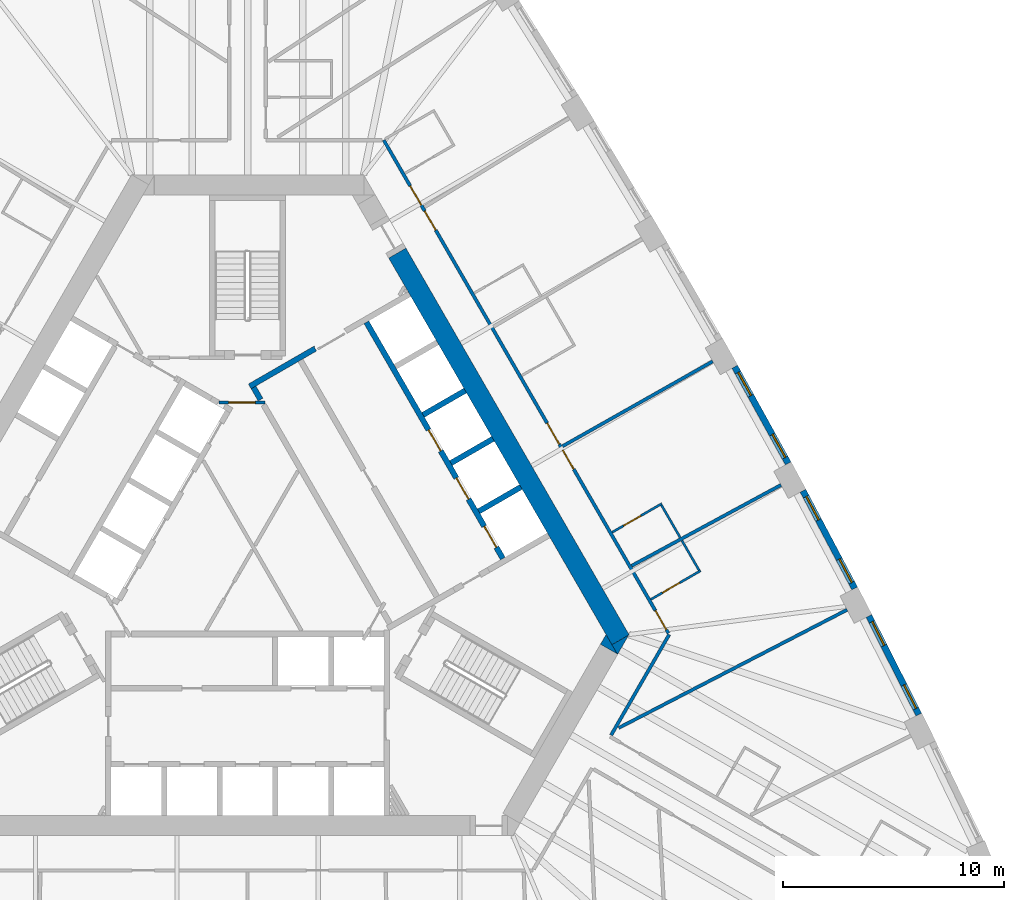
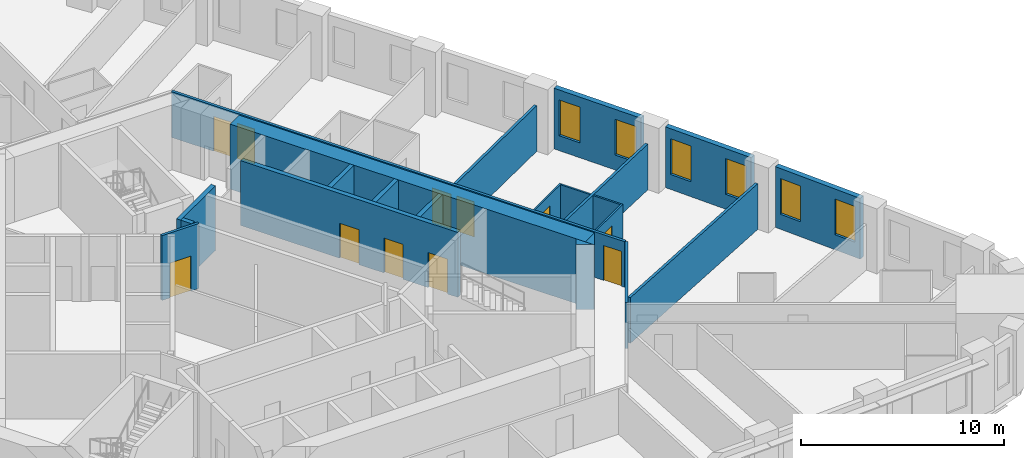
# One storey, part 8 of 12: 22 walls, 11 doors, 6 windows, 17 openings.
"""IFC4 building model written with IfcOpenShell, lengths in metres."""

from ifc_helpers import new_model, si_unit, direction, frame, frame_2d, origin, place, context, subcontext, project, spatial, polyline, rectangle, outline, extrude, material, layer, layer_set, type_object, element, fill, save


model = new_model("IFC4")

# Units and contexts
model_context = context("Model", 3, precision=1e-05, world=origin(), true_north=direction((0.0, 1.0)))
body_context = subcontext(model_context, "Body", "Model", "MODEL_VIEW")
ifc_project = project(units=[si_unit("LENGTHUNIT", "METRE"), si_unit("AREAUNIT", "SQUARE_METRE"), si_unit("VOLUMEUNIT", "CUBIC_METRE"), si_unit("PLANEANGLEUNIT", "RADIAN"), si_unit("MASSUNIT", "GRAM", prefix="KILO")], contexts=[model_context])

# Site, building, storey
site_placement = place(None, origin())
site = spatial("IfcSite", under=ifc_project, at=site_placement, CompositionType="ELEMENT")
building_placement = place(site_placement, origin())
building = spatial("IfcBuilding", under=site, at=building_placement, Name="Mestral Congress Tower", CompositionType="ELEMENT")
storey_placement = place(building_placement, frame((0.0, 0.0, 43.199951171875)))
storey = spatial("IfcBuildingStorey", under=building, at=storey_placement, Name="L09", CompositionType="ELEMENT", Elevation=43.199951171875)

# Walls
ifc_material_1 = material(Name="Concrete C60/75", Category="concrete")
ifc_layer_1 = layer(ifc_material_1, 0.89990234375)
ifc_layer_set_1 = layer_set([ifc_layer_1], Name="Concrete C60/75")
wall_type_1 = type_object("IfcWallType", Name="Core wall RC 900", PredefinedType="SOLIDWALL", material=ifc_layer_set_1)
wall_1_placement = place(storey_placement, frame((6.77587890625, 13.36376953125, 0.0), z_axis=(0.0, 0.0, 1.0), x_axis=(0.500004177138, -0.8660229921, 0.0)))
element("IfcWall", 1, at=wall_1_placement, inside=storey, type_object=wall_type_1, Name="L09 core wall", PredefinedType="SOLIDWALL", context=body_context, shape_type="SweptSolid", body=[
    extrude(rectangle(XDim=20.203857421875, YDim=0.89990234375, at=frame_2d((10.10205078125, 0.0))), origin(), (0.0, 0.0, 1.0), 3.900146484375),
])
placement = place(storey_placement, origin())
element("IfcWall", 2, at=placement, inside=storey, type_object=wall_type_1, Name="L09 core wall", PredefinedType="SOLIDWALL", context=body_context, shape_type="SweptSolid", body=[
    extrude(outline(polyline([(16.7431640625, -4.800048828125), (16.4892578125, -4.360107421875), (17.251220703125, -3.920166015625), (16.7431640625, -4.800048828125)])), origin(), (0.0, 0.0, 1.0), 3.900146484375),
])
element("IfcWall", 3, at=placement, inside=storey, type_object=wall_type_1, Name="L09 core wall", PredefinedType="SOLIDWALL", context=body_context, shape_type="SweptSolid", body=[
    extrude(outline(polyline([(16.223388671875, -3.89990234375), (16.731689453125, -4.780029296875), (15.969482421875, -4.33984375), (16.223388671875, -3.89990234375)])), origin(), (0.0, 0.0, 1.0), 3.900146484375),
])

# Wall, openings, windows
ifc_material_2 = material(Name="Precast concrete C40/50 with limestone facing", Category="masonry")
ifc_layer_2 = layer(ifc_material_2, 0.2900390625)
ifc_layer_set_2 = layer_set([ifc_layer_2], Name="Precast concrete C40/50 with limestone facing")
wall_type_2 = type_object("IfcWallType", Name="Facade stone wall 290", PredefinedType="SOLIDWALL", material=ifc_layer_set_2)
wall_4_placement = place(storey_placement, frame((30.376953125, -7.5205078125, 0.0), z_axis=(0.0, 0.0, 1.0), x_axis=(-0.451233929645, 0.892405704115, 0.0)))
wall_4 = element("IfcWall", 4, at=wall_4_placement, inside=storey, type_object=wall_type_2, Name="Facade wall F1-01", PredefinedType="SOLIDWALL", context=body_context, shape_type="SweptSolid", body=[
    extrude(rectangle(XDim=4.998291015625, YDim=0.2900390625, at=frame_2d((2.4990234375, 0.0))), origin(), (0.0, 0.0, 1.0), 3.650146484375),
])
opening_1_placement = place(wall_4_placement, frame((0.297119140625, 0.0, 0.89990234375)))
opening_1 = element("IfcOpeningElement", 5, at=opening_1_placement, cuts=wall_4, Name="Opening W1", PredefinedType="OPENING", context=body_context, shape_type="SweptSolid", body=[
    extrude(rectangle(XDim=1.199951171875, YDim=2.14990234375, at=frame_2d((0.60009765625, 1.074951171875))), frame((0.0, 0.155029296875, 0.0), z_axis=(0.0, -1.0, 0.0), x_axis=(1.0, 0.0, 0.0)), (0.0, 0.0, 1.0), 0.31005859375),
])
opening_2_placement = place(wall_4_placement, frame((3.501220703125, 0.0, 0.89990234375)))
opening_2 = element("IfcOpeningElement", 6, at=opening_2_placement, cuts=wall_4, Name="Opening W1", PredefinedType="OPENING", context=body_context, shape_type="SweptSolid", body=[
    extrude(rectangle(XDim=1.199951171875, YDim=2.14990234375, at=frame_2d((0.60009765625, 1.074951171875))), frame((0.0, 0.155029296875, 0.0), z_axis=(0.0, -1.0, 0.0), x_axis=(1.0, 0.0, 0.0)), (0.0, 0.0, 1.0), 0.31005859375),
])
ifc_material_3 = material(Name="Clear low-emissivity double glazing", Category="glass")
window_type = type_object("IfcWindowType", Name="Facade punched window 1200 x 2150 sill 900", PartitioningType="DOUBLE_PANEL_VERTICAL", PredefinedType="WINDOW", material=ifc_material_3)
window_1_placement = place(opening_1_placement, origin())
window_1 = element("IfcWindow", 7, at=window_1_placement, inside=storey, type_object=window_type, Name="Window F1-01a", OverallHeight=2.14990234375, OverallWidth=1.199951171875, PartitioningType="DOUBLE_PANEL_VERTICAL", PredefinedType="WINDOW", context=body_context, shape_type="SweptSolid", body=[
    extrude(rectangle(XDim=1.199951171875, YDim=2.14990234375, at=frame_2d((0.60009765625, 1.074951171875))), frame((0.0, 0.01513671875, 0.0), z_axis=(0.0, -1.0, 0.0), x_axis=(1.0, 0.0, 0.0)), (0.0, 0.0, 1.0), 0.06005859375),
])
fill(opening_1, window_1)
window_2_placement = place(opening_2_placement, origin())
window_2 = element("IfcWindow", 8, at=window_2_placement, inside=storey, type_object=window_type, Name="Window F1-01b", OverallHeight=2.14990234375, OverallWidth=1.199951171875, PartitioningType="DOUBLE_PANEL_VERTICAL", PredefinedType="WINDOW", context=body_context, shape_type="SweptSolid", body=[
    extrude(rectangle(XDim=1.199951171875, YDim=2.14990234375, at=frame_2d((0.60009765625, 1.074951171875))), frame((0.0, 0.01513671875, 0.0), z_axis=(0.0, -1.0, 0.0), x_axis=(1.0, 0.0, 0.0)), (0.0, 0.0, 1.0), 0.06005859375),
])
fill(opening_2, window_2)

wall_5_placement = place(storey_placement, frame((27.47509765625, -1.810302734375, 0.0), z_axis=(0.0, 0.0, 1.0), x_axis=(-0.467629620899, 0.883924509026, 0.0)))
wall_5 = element("IfcWall", 9, at=wall_5_placement, inside=storey, type_object=wall_type_2, Name="Facade wall F1-02", PredefinedType="SOLIDWALL", context=body_context, shape_type="SweptSolid", body=[
    extrude(rectangle(XDim=4.998291015625, YDim=0.2900390625, at=frame_2d((2.4990234375, 0.0))), origin(), (0.0, 0.0, 1.0), 3.650146484375),
])
opening_3_placement = place(wall_5_placement, frame((0.297119140625, 0.0, 0.89990234375)))
opening_3 = element("IfcOpeningElement", 10, at=opening_3_placement, cuts=wall_5, Name="Opening W1", PredefinedType="OPENING", context=body_context, shape_type="SweptSolid", body=[
    extrude(rectangle(XDim=1.199951171875, YDim=2.14990234375, at=frame_2d((0.60009765625, 1.074951171875))), frame((0.0, 0.155029296875, 0.0), z_axis=(0.0, -1.0, 0.0), x_axis=(1.0, 0.0, 0.0)), (0.0, 0.0, 1.0), 0.31005859375),
])
opening_4_placement = place(wall_5_placement, frame((3.501220703125, 0.0, 0.89990234375)))
opening_4 = element("IfcOpeningElement", 11, at=opening_4_placement, cuts=wall_5, Name="Opening W1", PredefinedType="OPENING", context=body_context, shape_type="SweptSolid", body=[
    extrude(rectangle(XDim=1.199951171875, YDim=2.14990234375, at=frame_2d((0.60009765625, 1.074951171875))), frame((0.0, 0.155029296875, 0.0), z_axis=(0.0, -1.0, 0.0), x_axis=(1.0, 0.0, 0.0)), (0.0, 0.0, 1.0), 0.31005859375),
])
window_3_placement = place(opening_3_placement, origin())
window_3 = element("IfcWindow", 12, at=window_3_placement, inside=storey, type_object=window_type, Name="Window F1-02a", OverallHeight=2.14990234375, OverallWidth=1.199951171875, PartitioningType="DOUBLE_PANEL_VERTICAL", PredefinedType="WINDOW", context=body_context, shape_type="SweptSolid", body=[
    extrude(rectangle(XDim=1.199951171875, YDim=2.14990234375, at=frame_2d((0.60009765625, 1.074951171875))), frame((0.0, 0.01513671875, 0.0), z_axis=(0.0, -1.0, 0.0), x_axis=(1.0, 0.0, 0.0)), (0.0, 0.0, 1.0), 0.06005859375),
])
fill(opening_3, window_3)
window_4_placement = place(opening_4_placement, origin())
window_4 = element("IfcWindow", 13, at=window_4_placement, inside=storey, type_object=window_type, Name="Window F1-02b", OverallHeight=2.14990234375, OverallWidth=1.199951171875, PartitioningType="DOUBLE_PANEL_VERTICAL", PredefinedType="WINDOW", context=body_context, shape_type="SweptSolid", body=[
    extrude(rectangle(XDim=1.199951171875, YDim=2.14990234375, at=frame_2d((0.60009765625, 1.074951171875))), frame((0.0, 0.01513671875, 0.0), z_axis=(0.0, -1.0, 0.0), x_axis=(1.0, 0.0, 0.0)), (0.0, 0.0, 1.0), 0.06005859375),
])
fill(opening_4, window_4)

wall_6_placement = place(storey_placement, frame((24.46826171875, 3.845703125, 0.0), z_axis=(0.0, 0.0, 1.0), x_axis=(-0.483912572871, 0.875116347589, 0.0)))
wall_6 = element("IfcWall", 14, at=wall_6_placement, inside=storey, type_object=wall_type_2, Name="Facade wall F1-03", PredefinedType="SOLIDWALL", context=body_context, shape_type="SweptSolid", body=[
    extrude(rectangle(XDim=4.998291015625, YDim=0.2900390625, at=frame_2d((2.4990234375, 0.0))), origin(), (0.0, 0.0, 1.0), 3.650146484375),
])
opening_5_placement = place(wall_6_placement, frame((0.297119140625, 0.0, 0.89990234375)))
opening_5 = element("IfcOpeningElement", 15, at=opening_5_placement, cuts=wall_6, Name="Opening W1", PredefinedType="OPENING", context=body_context, shape_type="SweptSolid", body=[
    extrude(rectangle(XDim=1.199951171875, YDim=2.14990234375, at=frame_2d((0.60009765625, 1.074951171875))), frame((0.0, 0.155029296875, 0.0), z_axis=(0.0, -1.0, 0.0), x_axis=(1.0, 0.0, 0.0)), (0.0, 0.0, 1.0), 0.31005859375),
])
opening_6_placement = place(wall_6_placement, frame((3.501220703125, 0.0, 0.89990234375)))
opening_6 = element("IfcOpeningElement", 16, at=opening_6_placement, cuts=wall_6, Name="Opening W1", PredefinedType="OPENING", context=body_context, shape_type="SweptSolid", body=[
    extrude(rectangle(XDim=1.199951171875, YDim=2.14990234375, at=frame_2d((0.60009765625, 1.074951171875))), frame((0.0, 0.155029296875, 0.0), z_axis=(0.0, -1.0, 0.0), x_axis=(1.0, 0.0, 0.0)), (0.0, 0.0, 1.0), 0.31005859375),
])
window_5_placement = place(opening_5_placement, origin())
window_5 = element("IfcWindow", 17, at=window_5_placement, inside=storey, type_object=window_type, Name="Window F1-03a", OverallHeight=2.14990234375, OverallWidth=1.199951171875, PartitioningType="DOUBLE_PANEL_VERTICAL", PredefinedType="WINDOW", context=body_context, shape_type="SweptSolid", body=[
    extrude(rectangle(XDim=1.199951171875, YDim=2.14990234375, at=frame_2d((0.60009765625, 1.074951171875))), frame((0.0, 0.01513671875, 0.0), z_axis=(0.0, -1.0, 0.0), x_axis=(1.0, 0.0, 0.0)), (0.0, 0.0, 1.0), 0.06005859375),
])
fill(opening_5, window_5)
window_6_placement = place(opening_6_placement, origin())
window_6 = element("IfcWindow", 18, at=window_6_placement, inside=storey, type_object=window_type, Name="Window F1-03b", OverallHeight=2.14990234375, OverallWidth=1.199951171875, PartitioningType="DOUBLE_PANEL_VERTICAL", PredefinedType="WINDOW", context=body_context, shape_type="SweptSolid", body=[
    extrude(rectangle(XDim=1.199951171875, YDim=2.14990234375, at=frame_2d((0.60009765625, 1.074951171875))), frame((0.0, 0.01513671875, 0.0), z_axis=(0.0, -1.0, 0.0), x_axis=(1.0, 0.0, 0.0)), (0.0, 0.0, 1.0), 0.06005859375),
])
fill(opening_6, window_6)

# Wall, opening, door
ifc_material_4 = material(Name="Gypsum board partition on metal studs with mineral wool", Category="composite")
ifc_layer_3 = layer(ifc_material_4, 0.10009765625)
ifc_layer_set_3 = layer_set([ifc_layer_3], Name="Gypsum board partition on metal studs with mineral wool")
wall_type_3 = type_object("IfcWallType", Name="Hotel partition wall 100", PredefinedType="PARTITIONING", material=ifc_layer_set_3)
wall_7_placement = place(storey_placement, frame((18.25048828125, -2.31103515625, 0.0), z_axis=(0.0, 0.0, 1.0), x_axis=(0.866021400173, 0.500006934395, 0.0)))
wall_7 = element("IfcWall", 19, at=wall_7_placement, inside=storey, type_object=wall_type_3, Name="L09-h-pod12a", PredefinedType="PARTITIONING", context=body_context, shape_type="SweptSolid", body=[
    extrude(rectangle(XDim=2.60009765625, YDim=0.10009765625, at=frame_2d((1.300048828125, 0.0))), origin(), (0.0, 0.0, 1.0), 2.75),
])
opening_7_placement = place(wall_7_placement, frame((0.60009765625, 0.0, 0.0)))
opening_7 = element("IfcOpeningElement", 20, at=opening_7_placement, cuts=wall_7, Name="Opening H02-017", PredefinedType="OPENING", context=body_context, shape_type="SweptSolid", body=[
    extrude(rectangle(XDim=0.89990234375, YDim=2.10009765625, at=frame_2d((0.449951171875, 1.050048828125))), frame((0.0, 0.06005859375, 0.0), z_axis=(0.0, -1.0, 0.0), x_axis=(1.0, 0.0, 0.0)), (0.0, 0.0, 1.0), 0.1201171875),
])
ifc_material_5 = material(Name="Timber veneer door leaf in timber frame", Category="wood")
door_type_1 = type_object("IfcDoorType", Name="Bathroom door 900", OperationType="SINGLE_SWING_LEFT", PredefinedType="DOOR", material=ifc_material_5)
door_1_placement = place(opening_7_placement, origin())
door_1 = element("IfcDoor", 21, at=door_1_placement, inside=storey, type_object=door_type_1, Name="L09-h-d017", OperationType="SINGLE_SWING_RIGHT", OverallHeight=2.10009765625, OverallWidth=0.89990234375, PredefinedType="DOOR", context=body_context, shape_type="SweptSolid", body=[
    extrude(rectangle(XDim=0.89990234375, YDim=2.10009765625, at=frame_2d((0.449951171875, 1.050048828125))), frame((0.0, 0.02490234375, 0.0), z_axis=(0.0, -1.0, 0.0), x_axis=(1.0, 0.0, 0.0)), (0.0, 0.0, 1.0), 0.050048828125),
])
fill(opening_7, door_1)

# Wall
wall_8_placement = place(storey_placement, frame((20.43408203125, -0.99267578125, 0.0), z_axis=(0.0, 0.0, 1.0), x_axis=(-0.500086022567, 0.865975732936, 0.0)))
element("IfcWall", 22, at=wall_8_placement, inside=storey, type_object=wall_type_3, Name="L09-h-pod12b", PredefinedType="PARTITIONING", context=body_context, shape_type="SweptSolid", body=[
    extrude(rectangle(XDim=1.550048828125, YDim=0.10009765625, at=frame_2d((0.77490234375, 0.0))), origin(), (0.0, 0.0, 1.0), 2.75),
])

# Wall, opening, door
wall_9_placement = place(storey_placement, frame((18.7490234375, 2.02587890625, 0.0), z_axis=(0.0, 0.0, 1.0), x_axis=(-0.866021400173, -0.500006934395, 0.0)))
wall_9 = element("IfcWall", 23, at=wall_9_placement, inside=storey, type_object=wall_type_3, Name="L09-h-pod13a", PredefinedType="PARTITIONING", context=body_context, shape_type="SweptSolid", body=[
    extrude(rectangle(XDim=2.60009765625, YDim=0.10009765625, at=frame_2d((1.300048828125, 0.0))), origin(), (0.0, 0.0, 1.0), 2.75),
])
opening_8_placement = place(wall_9_placement, frame((1.10009765625, 0.0, 0.0)))
opening_8 = element("IfcOpeningElement", 24, at=opening_8_placement, cuts=wall_9, Name="Opening H02-019", PredefinedType="OPENING", context=body_context, shape_type="SweptSolid", body=[
    extrude(rectangle(XDim=0.89990234375, YDim=2.10009765625, at=frame_2d((0.449951171875, 1.050048828125))), frame((0.0, 0.06005859375, 0.0), z_axis=(0.0, -1.0, 0.0), x_axis=(1.0, 0.0, 0.0)), (0.0, 0.0, 1.0), 0.1201171875),
])
door_2_placement = place(opening_8_placement, origin())
door_2 = element("IfcDoor", 25, at=door_2_placement, inside=storey, type_object=door_type_1, Name="L09-h-d019", OperationType="SINGLE_SWING_LEFT", OverallHeight=2.10009765625, OverallWidth=0.89990234375, PredefinedType="DOOR", context=body_context, shape_type="SweptSolid", body=[
    extrude(rectangle(XDim=0.89990234375, YDim=2.10009765625, at=frame_2d((0.449951171875, 1.050048828125))), frame((0.0, 0.02490234375, 0.0), z_axis=(0.0, -1.0, 0.0), x_axis=(1.0, 0.0, 0.0)), (0.0, 0.0, 1.0), 0.050048828125),
])
fill(opening_8, door_2)

# Walls
wall_10_placement = place(storey_placement, frame((18.730712890625, 1.95751953125, 0.0), z_axis=(0.0, 0.0, 1.0), x_axis=(0.499976720371, -0.866038843867, 0.0)))
element("IfcWall", 26, at=wall_10_placement, inside=storey, type_object=wall_type_3, Name="L09-h-pod13b", PredefinedType="PARTITIONING", context=body_context, shape_type="SweptSolid", body=[
    extrude(rectangle(XDim=1.68994140625, YDim=0.10009765625, at=frame_2d((0.844970703125, 0.0))), origin(), (0.0, 0.0, 1.0), 2.75),
])
ifc_layer_4 = layer(ifc_material_4, 0.14990234375)
ifc_layer_set_4 = layer_set([ifc_layer_4], Name="Gypsum board partition on metal studs with mineral wool")
wall_type_4 = type_object("IfcWallType", Name="Hotel partition wall 150", PredefinedType="PARTITIONING", material=ifc_layer_set_4)
wall_11_placement = place(storey_placement, frame((19.081298828125, -3.89990234375, 0.0), z_axis=(0.0, 0.0, 1.0), x_axis=(-0.499974327079, -0.866040225545, 0.0)))
element("IfcWall", 27, at=wall_11_placement, inside=storey, type_object=wall_type_4, Name="L09-h-cw02", PredefinedType="PARTITIONING", context=body_context, shape_type="SweptSolid", body=[
    extrude(rectangle(XDim=5.258056640625, YDim=0.14990234375, at=frame_2d((2.62890625, 0.0))), origin(), (0.0, 0.0, 1.0), 2.75),
])

# Wall, openings, doors
wall_12_placement = place(storey_placement, frame((6.1630859375, 18.47509765625, 0.0), z_axis=(0.0, 0.0, 1.0), x_axis=(0.500001317485, -0.866024643133, 0.0)))
wall_12 = element("IfcWall", 28, at=wall_12_placement, inside=storey, type_object=wall_type_4, Name="L09-h-cw03", PredefinedType="PARTITIONING", context=body_context, shape_type="SweptSolid", body=[
    extrude(rectangle(XDim=25.7666015625, YDim=0.14990234375, at=frame_2d((12.88330078125, 0.0))), origin(), (0.0, 0.0, 1.0), 2.75),
])
opening_9_placement = place(wall_12_placement, frame((24.58642578125, 0.0, 0.0)))
opening_9 = element("IfcOpeningElement", 29, at=opening_9_placement, cuts=wall_12, Name="Opening H02-016", PredefinedType="OPENING", context=body_context, shape_type="SweptSolid", body=[
    extrude(rectangle(XDim=1.0, YDim=2.10009765625, at=frame_2d((0.5, 1.050048828125))), frame((0.0, 0.0849609375, 0.0), z_axis=(0.0, -1.0, 0.0), x_axis=(1.0, 0.0, 0.0)), (0.0, 0.0, 1.0), 0.169921875),
])
opening_10_placement = place(wall_12_placement, frame((16.19580078125, 0.0, 0.0)))
opening_10 = element("IfcOpeningElement", 30, at=opening_10_placement, cuts=wall_12, Name="Opening H02-018", PredefinedType="OPENING", context=body_context, shape_type="SweptSolid", body=[
    extrude(rectangle(XDim=1.0, YDim=2.10009765625, at=frame_2d((0.5, 1.050048828125))), frame((0.0, 0.0849609375, 0.0), z_axis=(0.0, -1.0, 0.0), x_axis=(1.0, 0.0, 0.0)), (0.0, 0.0, 1.0), 0.169921875),
])
opening_11_placement = place(wall_12_placement, frame((14.788818359375, 0.0, 0.0)))
opening_11 = element("IfcOpeningElement", 31, at=opening_11_placement, cuts=wall_12, Name="Opening H02-020", PredefinedType="OPENING", context=body_context, shape_type="SweptSolid", body=[
    extrude(rectangle(XDim=1.10009765625, YDim=2.10009765625, at=frame_2d((0.550048828125, 1.050048828125))), frame((0.0, 0.0849609375, 0.0), z_axis=(0.0, -1.0, 0.0), x_axis=(1.0, 0.0, 0.0)), (0.0, 0.0, 1.0), 0.169921875),
])
opening_12_placement = place(wall_12_placement, frame((3.698486328125, 0.0, 0.0)))
opening_12 = element("IfcOpeningElement", 32, at=opening_12_placement, cuts=wall_12, Name="Opening H02-022", PredefinedType="OPENING", context=body_context, shape_type="SweptSolid", body=[
    extrude(rectangle(XDim=1.0, YDim=2.10009765625, at=frame_2d((0.5, 1.050048828125))), frame((0.0, 0.0849609375, 0.0), z_axis=(0.0, -1.0, 0.0), x_axis=(1.0, 0.0, 0.0)), (0.0, 0.0, 1.0), 0.169921875),
])
opening_13_placement = place(wall_12_placement, frame((2.39111328125, 0.0, 0.0)))
opening_13 = element("IfcOpeningElement", 33, at=opening_13_placement, cuts=wall_12, Name="Opening H02-024", PredefinedType="OPENING", context=body_context, shape_type="SweptSolid", body=[
    extrude(rectangle(XDim=1.0, YDim=2.10009765625, at=frame_2d((0.5, 1.050048828125))), frame((0.0, 0.0849609375, 0.0), z_axis=(0.0, -1.0, 0.0), x_axis=(1.0, 0.0, 0.0)), (0.0, 0.0, 1.0), 0.169921875),
])
ifc_material_6 = material(Name="Timber veneer door leaf in metal frame", Category="wood")
door_type_2 = type_object("IfcDoorType", Name="Accessible room entrance door 1100", OperationType="SINGLE_SWING_LEFT", PredefinedType="DOOR", material=ifc_material_6)
door_3_placement = place(opening_11_placement, origin())
door_3 = element("IfcDoor", 34, at=door_3_placement, inside=storey, type_object=door_type_2, Name="L09-h-d020", OperationType="SINGLE_SWING_RIGHT", OverallHeight=2.10009765625, OverallWidth=1.10009765625, PredefinedType="DOOR", context=body_context, shape_type="SweptSolid", body=[
    extrude(rectangle(XDim=1.10009765625, YDim=2.10009765625, at=frame_2d((0.550048828125, 1.050048828125))), frame((0.0, 0.02490234375, 0.0), z_axis=(0.0, -1.0, 0.0), x_axis=(1.0, 0.0, 0.0)), (0.0, 0.0, 1.0), 0.050048828125),
])
fill(opening_11, door_3)
door_type_3 = type_object("IfcDoorType", Name="Guest room entrance door 1000", OperationType="SINGLE_SWING_LEFT", PredefinedType="DOOR", material=ifc_material_6)
door_4_placement = place(opening_9_placement, origin())
door_4 = element("IfcDoor", 35, at=door_4_placement, inside=storey, type_object=door_type_3, Name="L09-h-d016", OperationType="SINGLE_SWING_RIGHT", OverallHeight=2.10009765625, OverallWidth=1.0, PredefinedType="DOOR", context=body_context, shape_type="SweptSolid", body=[
    extrude(rectangle(XDim=1.0, YDim=2.10009765625, at=frame_2d((0.5, 1.050048828125))), frame((0.0, 0.02490234375, 0.0), z_axis=(0.0, -1.0, 0.0), x_axis=(1.0, 0.0, 0.0)), (0.0, 0.0, 1.0), 0.050048828125),
])
fill(opening_9, door_4)
door_5_placement = place(opening_10_placement, origin())
door_5 = element("IfcDoor", 36, at=door_5_placement, inside=storey, type_object=door_type_3, Name="L09-h-d018", OperationType="SINGLE_SWING_LEFT", OverallHeight=2.10009765625, OverallWidth=1.0, PredefinedType="DOOR", context=body_context, shape_type="SweptSolid", body=[
    extrude(rectangle(XDim=1.0, YDim=2.10009765625, at=frame_2d((0.5, 1.050048828125))), frame((0.0, 0.02490234375, 0.0), z_axis=(0.0, -1.0, 0.0), x_axis=(1.0, 0.0, 0.0)), (0.0, 0.0, 1.0), 0.050048828125),
])
fill(opening_10, door_5)
door_6_placement = place(opening_12_placement, origin())
door_6 = element("IfcDoor", 37, at=door_6_placement, inside=storey, type_object=door_type_3, Name="L09-h-d022", OperationType="SINGLE_SWING_LEFT", OverallHeight=2.10009765625, OverallWidth=1.0, PredefinedType="DOOR", context=body_context, shape_type="SweptSolid", body=[
    extrude(rectangle(XDim=1.0, YDim=2.10009765625, at=frame_2d((0.5, 1.050048828125))), frame((0.0, 0.02490234375, 0.0), z_axis=(0.0, -1.0, 0.0), x_axis=(1.0, 0.0, 0.0)), (0.0, 0.0, 1.0), 0.050048828125),
])
fill(opening_12, door_6)
door_7_placement = place(opening_13_placement, origin())
door_7 = element("IfcDoor", 38, at=door_7_placement, inside=storey, type_object=door_type_3, Name="L09-h-d024", OperationType="SINGLE_SWING_RIGHT", OverallHeight=2.10009765625, OverallWidth=1.0, PredefinedType="DOOR", context=body_context, shape_type="SweptSolid", body=[
    extrude(rectangle(XDim=1.0, YDim=2.10009765625, at=frame_2d((0.5, 1.050048828125))), frame((0.0, 0.02490234375, 0.0), z_axis=(0.0, -1.0, 0.0), x_axis=(1.0, 0.0, 0.0)), (0.0, 0.0, 1.0), 0.050048828125),
])
fill(opening_13, door_7)

# Walls
wall_13_placement = place(storey_placement, frame((21.051513671875, 8.464111328125, 0.0), z_axis=(0.0, 0.0, 1.0), x_axis=(-0.87059371954, -0.492002617368, 0.0)))
element("IfcWall", 39, at=wall_13_placement, inside=storey, type_object=wall_type_4, Name="L09-h-pw21", PredefinedType="PARTITIONING", context=body_context, shape_type="SweptSolid", body=[
    extrude(rectangle(XDim=7.803466796875, YDim=0.14990234375, at=frame_2d((3.90185546875, 0.0))), origin(), (0.0, 0.0, 1.0), 2.75),
])
wall_14_placement = place(storey_placement, frame((27.133544921875, -2.779052734375, 0.0), z_axis=(0.0, 0.0, 1.0), x_axis=(-0.8882049501, -0.459447457951, 0.0)))
element("IfcWall", 40, at=wall_14_placement, inside=storey, type_object=wall_type_4, Name="L09-h-pw23", PredefinedType="PARTITIONING", context=body_context, shape_type="SweptSolid", body=[
    extrude(rectangle(XDim=11.63818359375, YDim=0.14990234375, at=frame_2d((5.819091796875, 0.0))), origin(), (0.0, 0.0, 1.0), 2.75),
])
wall_15_placement = place(storey_placement, frame((24.14453125, 2.87060546875, 0.0), z_axis=(0.0, 0.0, 1.0), x_axis=(-0.879551725039, -0.475803281809, 0.0)))
element("IfcWall", 41, at=wall_15_placement, inside=storey, type_object=wall_type_4, Name="L09-h-pw24", PredefinedType="PARTITIONING", context=body_context, shape_type="SweptSolid", body=[
    extrude(rectangle(XDim=7.68798828125, YDim=0.14990234375, at=frame_2d((3.843994140625, 0.0))), origin(), (0.0, 0.0, 1.0), 2.75),
])
ifc_layer_5 = layer(ifc_material_1, 0.25)
ifc_layer_set_5 = layer_set([ifc_layer_5], Name="Concrete C60/75")
wall_type_5 = type_object("IfcWallType", Name="Shaft wall RC 250", PredefinedType="SOLIDWALL", material=ifc_layer_set_5)
for number, where, z_axis, x_axis, name in (
    (42, (10.463623046875, 1.676513671875, 0.0), (0.0, 0.0, 1.0), (0.86605622881, 0.499946605688, 0.0), "L09 core wall"),
    (43, (9.20361328125, 3.85888671875, 0.0), (0.0, 0.0, 1.0), (0.86605622881, 0.499946605688, 0.0), "L09 core wall"),
    (44, (7.943603515625, 6.041259765625, 0.0), (0.0, 0.0, 1.0), (0.86605622881, 0.499946605688, 0.0), "L09 core wall"),
):
    element("IfcWall", number, at=place(storey_placement, frame(where, z_axis=z_axis, x_axis=x_axis)), inside=storey, type_object=wall_type_5, Name=name, PredefinedType="SOLIDWALL", context=body_context, shape_type="SweptSolid", body=[
        extrude(rectangle(XDim=2.199951171875, YDim=0.25, at=frame_2d((1.10009765625, 0.0))), origin(), (0.0, 0.0, 1.0), 3.900146484375),
    ])
element("IfcWall", 45, at=placement, inside=storey, type_object=wall_type_5, Name="L09 core wall", PredefinedType="SOLIDWALL", context=body_context, shape_type="SweptSolid", body=[
    extrude(outline(polyline([(2.776123046875, 8.73291015625), (2.49853515625, 8.57275390625), (2.498291015625, 8.57275390625), (2.498291015625, 8.57275390625), (2.28173828125, 8.44775390625), (2.28173828125, 8.44775390625), (0.376708984375, 7.34765625), (0.16015625, 7.22265625), (0.03515625, 7.439208984375), (3.031982421875, 9.16943359375), (3.02978515625, 9.152099609375), (3.029541015625, 9.132568359375), (3.03125, 9.113037109375), (3.03466796875, 9.09375), (3.0400390625, 9.074951171875), (3.04736328125, 9.056640625), (3.05615234375, 9.0390625), (3.118896484375, 8.930908203125), (2.776123046875, 8.73291015625)])), origin(), (0.0, 0.0, 1.0), 3.900146484375),
])
wall_17_placement = place(storey_placement, frame((0.268310546875, 7.28515625, 0.0), z_axis=(0.0, 0.0, 1.0), x_axis=(0.500098681536, -0.865968422476, 0.0)))
element("IfcWall", 46, at=wall_17_placement, inside=storey, type_object=wall_type_5, Name="L09 core wall", PredefinedType="SOLIDWALL", context=body_context, shape_type="SweptSolid", body=[
    extrude(rectangle(XDim=0.636474609375, YDim=0.25, at=frame_2d((0.318359375, 0.0))), origin(), (0.0, 0.0, 1.0), 3.900146484375),
])

# Wall, openings, doors
wall_18_placement = place(storey_placement, frame((11.552978515625, -0.460205078125, 0.0), z_axis=(0.0, 0.0, 1.0), x_axis=(-0.500006514828, 0.866021642414, 0.0)))
wall_18 = element("IfcWall", 47, at=wall_18_placement, inside=storey, type_object=wall_type_5, Name="L09 door wall", PredefinedType="SOLIDWALL", context=body_context, shape_type="SweptSolid", body=[
    extrude(rectangle(XDim=12.349853515625, YDim=0.25, at=frame_2d((6.1748046875, 0.0))), origin(), (0.0, 0.0, 1.0), 3.900146484375),
])
opening_14_placement = place(wall_18_placement, frame((0.5849609375, 0.0, 0.0)))
opening_14 = element("IfcOpeningElement", 48, at=opening_14_placement, cuts=wall_18, Name="Opening LD-NEA1", PredefinedType="OPENING", context=body_context, shape_type="SweptSolid", body=[
    extrude(rectangle(XDim=1.10009765625, YDim=2.10009765625, at=frame_2d((0.550048828125, 1.050048828125))), frame((0.0, 0.135009765625, 0.0), z_axis=(0.0, -1.0, 0.0), x_axis=(1.0, 0.0, 0.0)), (0.0, 0.0, 1.0), 0.27001953125),
])
opening_15_placement = place(wall_18_placement, frame((3.10498046875, 0.0, 0.0)))
opening_15 = element("IfcOpeningElement", 49, at=opening_15_placement, cuts=wall_18, Name="Opening LD-NEA2", PredefinedType="OPENING", context=body_context, shape_type="SweptSolid", body=[
    extrude(rectangle(XDim=1.10009765625, YDim=2.10009765625, at=frame_2d((0.550048828125, 1.050048828125))), frame((0.0, 0.135009765625, 0.0), z_axis=(0.0, -1.0, 0.0), x_axis=(1.0, 0.0, 0.0)), (0.0, 0.0, 1.0), 0.27001953125),
])
opening_16_placement = place(wall_18_placement, frame((5.625, 0.0, 0.0)))
opening_16 = element("IfcOpeningElement", 50, at=opening_16_placement, cuts=wall_18, Name="Opening LD-NEA3", PredefinedType="OPENING", context=body_context, shape_type="SweptSolid", body=[
    extrude(rectangle(XDim=1.10009765625, YDim=2.10009765625, at=frame_2d((0.550048828125, 1.050048828125))), frame((0.0, 0.135009765625, 0.0), z_axis=(0.0, -1.0, 0.0), x_axis=(1.0, 0.0, 0.0)), (0.0, 0.0, 1.0), 0.27001953125),
])
ifc_material_7 = material(Name="Fire-rated steel door set", Category="steel")
door_type_4 = type_object("IfcDoorType", Name="Core door LD 1100x2100", OperationType="DOUBLE_DOOR_SLIDING", PredefinedType="DOOR", material=ifc_material_7)
door_8_placement = place(opening_14_placement, origin())
door_8 = element("IfcDoor", 51, at=door_8_placement, inside=storey, type_object=door_type_4, Name="Door LD-NEA1", OperationType="DOUBLE_DOOR_SLIDING", OverallHeight=2.10009765625, OverallWidth=1.10009765625, PredefinedType="DOOR", context=body_context, shape_type="SweptSolid", body=[
    extrude(rectangle(XDim=1.10009765625, YDim=2.10009765625, at=frame_2d((0.550048828125, 1.050048828125))), frame((0.0, 0.02490234375, 0.0), z_axis=(0.0, -1.0, 0.0), x_axis=(1.0, 0.0, 0.0)), (0.0, 0.0, 1.0), 0.050048828125),
])
fill(opening_14, door_8)
door_9_placement = place(opening_15_placement, origin())
door_9 = element("IfcDoor", 52, at=door_9_placement, inside=storey, type_object=door_type_4, Name="Door LD-NEA2", OperationType="DOUBLE_DOOR_SLIDING", OverallHeight=2.10009765625, OverallWidth=1.10009765625, PredefinedType="DOOR", context=body_context, shape_type="SweptSolid", body=[
    extrude(rectangle(XDim=1.10009765625, YDim=2.10009765625, at=frame_2d((0.550048828125, 1.050048828125))), frame((0.0, 0.02490234375, 0.0), z_axis=(0.0, -1.0, 0.0), x_axis=(1.0, 0.0, 0.0)), (0.0, 0.0, 1.0), 0.050048828125),
])
fill(opening_15, door_9)
door_10_placement = place(opening_16_placement, origin())
door_10 = element("IfcDoor", 53, at=door_10_placement, inside=storey, type_object=door_type_4, Name="Door LD-NEA3", OperationType="DOUBLE_DOOR_SLIDING", OverallHeight=2.10009765625, OverallWidth=1.10009765625, PredefinedType="DOOR", context=body_context, shape_type="SweptSolid", body=[
    extrude(rectangle(XDim=1.10009765625, YDim=2.10009765625, at=frame_2d((0.550048828125, 1.050048828125))), frame((0.0, 0.02490234375, 0.0), z_axis=(0.0, -1.0, 0.0), x_axis=(1.0, 0.0, 0.0)), (0.0, 0.0, 1.0), 0.050048828125),
])
fill(opening_16, door_10)

# Wall, opening, door
ifc_layer_6 = layer(ifc_material_1, 0.14990234375)
ifc_layer_set_6 = layer_set([ifc_layer_6], Name="Concrete C60/75")
wall_type_6 = type_object("IfcWallType", Name="Shaft wall RC 250 door-wall 150", PredefinedType="SOLIDWALL", material=ifc_layer_set_6)
wall_19_placement = place(storey_placement, frame((-1.303466796875, 6.60009765625, 0.0), z_axis=(0.0, 0.0, 1.0), x_axis=(1.0, 0.0, 0.0)))
wall_19 = element("IfcWall", 54, at=wall_19_placement, inside=storey, type_object=wall_type_6, Name="L09 door wall", PredefinedType="PARTITIONING", context=body_context, shape_type="SweptSolid", body=[
    extrude(rectangle(XDim=2.099853515625, YDim=0.14990234375, at=frame_2d((1.0498046875, 0.0))), origin(), (0.0, 0.0, 1.0), 3.900146484375),
])
opening_17_placement = place(wall_19_placement, frame((0.449951171875, 0.0, 0.0)))
opening_17 = element("IfcOpeningElement", 55, at=opening_17_placement, cuts=wall_19, Name="Opening CD2-HUB1", PredefinedType="OPENING", context=body_context, shape_type="SweptSolid", body=[
    extrude(rectangle(XDim=1.199951171875, YDim=2.10009765625, at=frame_2d((0.60009765625, 1.050048828125))), frame((0.0, 0.0849609375, 0.0), z_axis=(0.0, -1.0, 0.0), x_axis=(1.0, 0.0, 0.0)), (0.0, 0.0, 1.0), 0.169921875),
])
door_type_5 = type_object("IfcDoorType", Name="Core door CD 1200x2100", OperationType="SINGLE_SWING_LEFT", PredefinedType="DOOR", material=ifc_material_7)
door_11_placement = place(opening_17_placement, origin())
door_11 = element("IfcDoor", 56, at=door_11_placement, inside=storey, type_object=door_type_5, Name="Door CD2-HUB1", OperationType="SINGLE_SWING_LEFT", OverallHeight=2.10009765625, OverallWidth=1.199951171875, PredefinedType="DOOR", context=body_context, shape_type="SweptSolid", body=[
    extrude(rectangle(XDim=1.199951171875, YDim=2.10009765625, at=frame_2d((0.60009765625, 1.050048828125))), frame((0.0, 0.02490234375, 0.0), z_axis=(0.0, -1.0, 0.0), x_axis=(1.0, 0.0, 0.0)), (0.0, 0.0, 1.0), 0.050048828125),
])
fill(opening_17, door_11)

save(model, "model.ifc")
